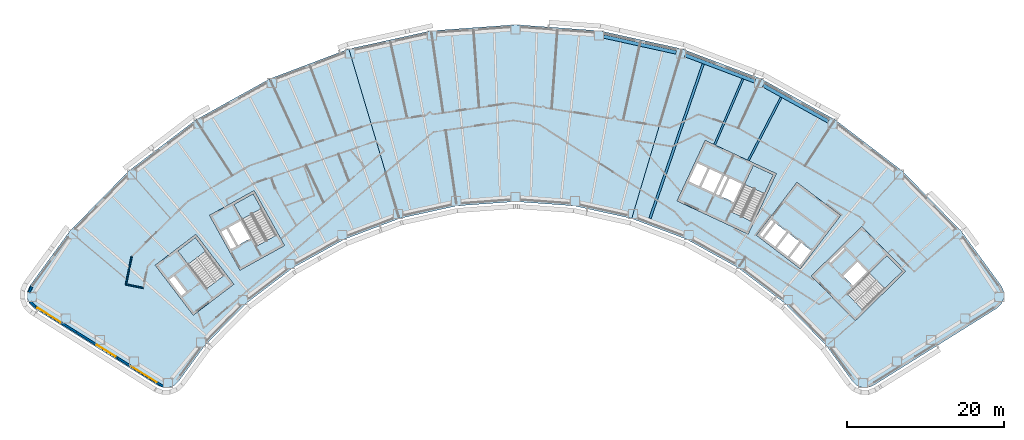
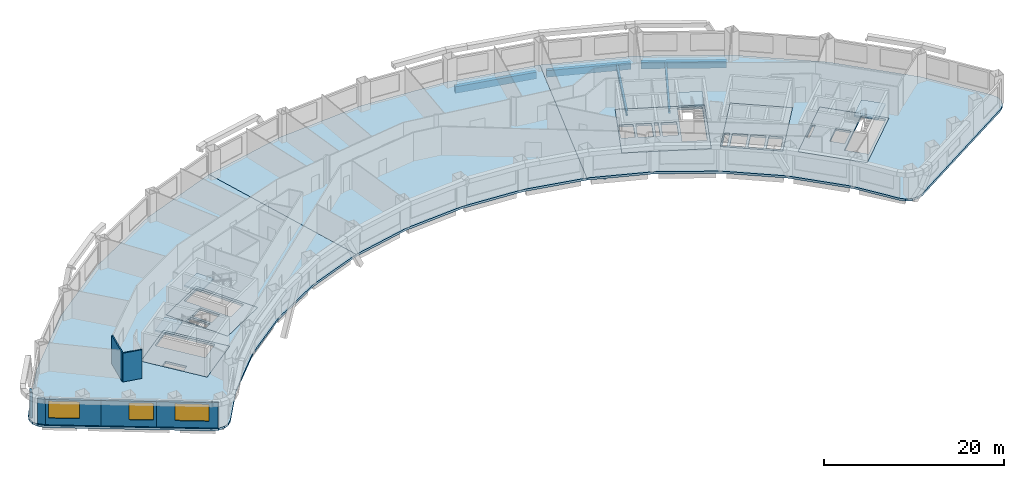
# One storey, part 2 of 15: 12 slabs, 7 walls, 6 beams, 3 windows, 3 openings, 4 elements without a shape of their own.
"""IFC4 building model written with IfcOpenShell, lengths in metres."""

from ifc_helpers import new_model, si_unit, direction, frame, frame_2d, origin, origin_2d, place, context, subcontext, project, spatial, polyline, rectangle, hollow_rectangle, i_section, outline, extrude, material, layer, layer_set, material_profile, profile_set, type_object, element, fill, aggregate, save


model = new_model("IFC4")

# Units and contexts
model_context = context("Model", 3, precision=1e-05, world=origin(), true_north=direction((0.0, 1.0)))
body_context = subcontext(model_context, "Body", "Model", "MODEL_VIEW")
ifc_project = project(units=[si_unit("LENGTHUNIT", "METRE"), si_unit("AREAUNIT", "SQUARE_METRE"), si_unit("VOLUMEUNIT", "CUBIC_METRE"), si_unit("PLANEANGLEUNIT", "RADIAN"), si_unit("MASSUNIT", "GRAM", prefix="KILO")], contexts=[model_context])

# Site, building, storey
site_placement = place(None, origin())
site = spatial("IfcSite", under=ifc_project, at=site_placement, CompositionType="ELEMENT")
building_placement = place(site_placement, origin())
building = spatial("IfcBuilding", under=site, at=building_placement, Name="Tuul Gate Civic Tower", CompositionType="ELEMENT")
storey_placement = place(building_placement, frame((0.0, 0.0, 78.0)))
storey = spatial("IfcBuildingStorey", under=building, at=storey_placement, Name="Level 17", CompositionType="ELEMENT", Elevation=78.0)

# Beams
ifc_material_1 = material(Name="Steel S355", Category="steel")
ifc_material_profile_1 = material_profile(ifc_material_1, i_section(OverallWidth=0.25, OverallDepth=0.64990234375, WebThickness=0.011962890625, FlangeThickness=0.02001953125, at=origin_2d()), Name="PG650x250x12x20")
ifc_profile_set_1 = profile_set([ifc_material_profile_1], Name="Steel S355")
beam_type_1 = type_object("IfcBeamType", Name="STR-FLOOR BEAM-PG650x250x12x20", PredefinedType="BEAM", material=ifc_profile_set_1)
beam_1_placement = place(storey_placement, frame((34.490478515625, 1.98095703125, -0.625), z_axis=(0.460790383982, 0.887508998281, 0.0), x_axis=(-0.887508998281, 0.460790383982, 0.0)))
element("IfcBeam", 1, at=beam_1_placement, inside=storey, type_object=beam_type_1, Name="Floor beam", PredefinedType="BEAM", context=body_context, shape_type="SweptSolid", body=[
    extrude(i_section(OverallWidth=0.25, OverallDepth=0.64990234375, WebThickness=0.011962890625, FlangeThickness=0.02001953125, at=origin_2d()), origin(), (0.0, 0.0, 1.0), 9.064453125),
])
beam_2_placement = place(storey_placement, frame((30.191162109375, 3.98583984375, -0.625), z_axis=(0.394199935174, 0.919024706474, 0.0), x_axis=(-0.919024706474, 0.394199935174, 0.0)))
element("IfcBeam", 2, at=beam_2_placement, inside=storey, type_object=beam_type_1, Name="Floor beam", PredefinedType="BEAM", context=body_context, shape_type="SweptSolid", body=[
    extrude(i_section(OverallWidth=0.25, OverallDepth=0.64990234375, WebThickness=0.011962890625, FlangeThickness=0.02001953125, at=origin_2d()), origin(), (0.0, 0.0, 1.0), 9.1337890625),
])
ifc_material_2 = material(Name="Steel S355", Category="steel")
ifc_material_profile_2 = material_profile(ifc_material_2, i_section(OverallWidth=0.300048828125, OverallDepth=0.800048828125, WebThickness=0.013916015625, FlangeThickness=0.02490234375, at=origin_2d()), Name="PG800x300x14x25")
ifc_profile_set_2 = profile_set([ifc_material_profile_2], Name="Steel S355")
beam_type_2 = type_object("IfcBeamType", Name="STR-FLOOR BEAM-PG800x300x14x25", PredefinedType="BEAM", material=ifc_profile_set_2)
beam_3_placement = place(storey_placement, frame((21.954345703125, -5.380859375, -0.699951171875), z_axis=(0.325483706592, 0.945547649113, 0.0), x_axis=(-0.945547649113, 0.325483706592, 0.0)))
element("IfcBeam", 3, at=beam_3_placement, inside=storey, type_object=beam_type_2, Name="Floor beam", PredefinedType="BEAM", context=body_context, shape_type="SweptSolid", body=[
    extrude(i_section(OverallWidth=0.300048828125, OverallDepth=0.800048828125, WebThickness=0.013916015625, FlangeThickness=0.02490234375, at=origin_2d()), origin(), (0.0, 0.0, 1.0), 20.808837890625),
])
ifc_material_3 = material(Name="Steel S355", Category="steel")
ifc_material_profile_3 = material_profile(ifc_material_3, hollow_rectangle(XDim=0.449951171875, YDim=0.89990234375, WallThickness=0.02490234375, at=origin_2d()), Name="BOX900x450x25")
ifc_profile_set_3 = profile_set([ifc_material_profile_3], Name="Steel S355")
beam_type_3 = type_object("IfcBeamType", Name="STR-SPANDREL BEAM-BOX900x450x25", PredefinedType="BEAM", material=ifc_profile_set_3)
beam_4_placement = place(storey_placement, frame((44.686279296875, 6.974853515625, -0.75), z_axis=(-0.874608888761, 0.484829136604, 0.0), x_axis=(-0.484829136604, -0.874608888761, 0.0)))
element("IfcBeam", 4, at=beam_4_placement, inside=storey, type_object=beam_type_3, Name="Spandrel beam", PredefinedType="BEAM", context=body_context, shape_type="SweptSolid", body=[
    extrude(hollow_rectangle(XDim=0.449951171875, YDim=0.89990234375, WallThickness=0.02490234375, at=origin_2d()), origin(), (0.0, 0.0, 1.0), 9.47802734375),
])
beam_5_placement = place(storey_placement, frame((35.310791015625, 12.0732421875, -0.75), z_axis=(-0.935376104649, 0.353654552993, 0.0), x_axis=(-0.353654552993, -0.935376104649, 0.0)))
element("IfcBeam", 5, at=beam_5_placement, inside=storey, type_object=beam_type_3, Name="Spandrel beam", PredefinedType="BEAM", context=body_context, shape_type="SweptSolid", body=[
    extrude(hollow_rectangle(XDim=0.449951171875, YDim=0.89990234375, WallThickness=0.02490234375, at=origin_2d()), origin(), (0.0, 0.0, 1.0), 9.47705078125),
])
beam_6_placement = place(storey_placement, frame((25.299072265625, 15.76611328125, -0.75), z_axis=(-0.97656320303, 0.215230830708, 0.0), x_axis=(-0.215230830708, -0.97656320303, 0.0)))
element("IfcBeam", 6, at=beam_6_placement, inside=storey, type_object=beam_type_3, Name="Spandrel beam", PredefinedType="BEAM", context=body_context, shape_type="SweptSolid", body=[
    extrude(hollow_rectangle(XDim=0.449951171875, YDim=0.89990234375, WallThickness=0.02490234375, at=origin_2d()), origin(), (0.0, 0.0, 1.0), 9.477294921875),
])

# Slabs
ifc_material_4 = material(Name="Concrete C40/50", Category="concrete")
ifc_layer_1 = layer(ifc_material_4, 0.300048828125)
ifc_layer_set_1 = layer_set([ifc_layer_1], Name="Concrete C40/50")
slab_type_1 = type_object("IfcSlabType", Name="Core floor slab 300", PredefinedType="FLOOR", material=ifc_layer_set_1)
slab_1_placement = place(storey_placement, frame((0.0, 0.0, -0.300048828125)))
element("IfcSlab", 7, at=slab_1_placement, inside=storey, type_object=slab_type_1, Name="FLOOR SLAB", PredefinedType="FLOOR", context=body_context, shape_type="SweptSolid", body=[
    extrude(outline(polyline([(-31.10009765625, -13.7890625), (-35.946044921875, -7.423828125), (-41.11767578125, -11.361572265625), (-36.271484375, -17.726806640625), (-31.10009765625, -13.7890625)]), holes=[polyline([(-37.19287109375, -14.783203125), (-38.737548828125, -12.75439453125), (-39.45361328125, -13.299560546875), (-37.908935546875, -15.328369140625), (-37.19287109375, -14.783203125)]), polyline([(-32.33935546875, -12.65771484375), (-34.56591796875, -14.352783203125), (-38.229736328125, -9.54052734375), (-36.003173828125, -7.845458984375), (-32.33935546875, -12.65771484375)])]), origin(), (0.0, 0.0, 1.0), 0.300048828125),
])
slab_2_placement = place(storey_placement, frame((0.0, 0.0, -0.300048828125)))
element("IfcSlab", 8, at=slab_2_placement, inside=storey, type_object=slab_type_1, Name="FLOOR SLAB", PredefinedType="FLOOR", context=body_context, shape_type="SweptSolid", body=[
    extrude(outline(polyline([(-24.638916015625, -8.846923828125), (-28.51708984375, -1.849853515625), (-34.2021484375, -5.0009765625), (-30.32421875, -11.998046875), (-24.638916015625, -8.846923828125)]), holes=[polyline([(-29.0185546875, -7.958740234375), (-30.254638671875, -5.728515625), (-31.785400390625, -6.576904296875), (-30.54931640625, -8.80712890625), (-29.0185546875, -7.958740234375)]), polyline([(-30.8115234375, -8.95263671875), (-32.047607421875, -6.72216796875), (-32.8349609375, -7.158447265625), (-31.5986328125, -9.388916015625), (-30.8115234375, -8.95263671875)]), polyline([(-25.702392578125, -7.548828125), (-28.14990234375, -8.905517578125), (-31.08203125, -3.615234375), (-28.63427734375, -2.2587890625), (-25.702392578125, -7.548828125)])]), origin(), (0.0, 0.0, 1.0), 0.300048828125),
])
slab_3_placement = place(storey_placement, frame((0.0, 0.0, -0.300048828125)))
element("IfcSlab", 9, at=slab_3_placement, inside=storey, type_object=slab_type_1, Name="FLOOR SLAB", PredefinedType="FLOOR", context=body_context, shape_type="SweptSolid", body=[
    extrude(outline(polyline([(48.117919921875, -18.43310546875), (54.545166015625, -12.1328125), (48.945068359375, -6.419921875), (42.517822265625, -12.719970703125), (48.117919921875, -18.43310546875)]), holes=[polyline([(47.808837890625, -13.974853515625), (49.6298828125, -12.18994140625), (48.40478515625, -10.940185546875), (46.583984375, -12.72509765625), (47.808837890625, -13.974853515625)]), polyline([(44.93896484375, -11.046875), (46.760009765625, -9.261962890625), (46.514892578125, -9.011962890625), (44.69384765625, -10.797119140625), (44.93896484375, -11.046875)]), polyline([(49.086181640625, -17.062744140625), (47.12744140625, -15.064208984375), (52.160888671875, -10.130126953125), (54.11962890625, -12.128662109375), (49.086181640625, -17.062744140625)])]), origin(), (0.0, 0.0, 1.0), 0.300048828125),
])
slab_4_placement = place(storey_placement, frame((0.0, 0.0, -0.300048828125)))
element("IfcSlab", 10, at=slab_4_placement, inside=storey, type_object=slab_type_1, Name="FLOOR SLAB", PredefinedType="FLOOR", context=body_context, shape_type="SweptSolid", body=[
    extrude(outline(polyline([(34.465087890625, -7.385986328125), (38.056884765625, 0.31787109375), (28.993896484375, 4.543701171875), (25.40185546875, -3.159912109375), (34.465087890625, -7.385986328125)]), holes=[polyline([(32.60888671875, -3.32080078125), (33.6865234375, -1.009765625), (32.1005859375, -0.27001953125), (31.02294921875, -2.581298828125), (32.60888671875, -3.32080078125)]), polyline([(30.0712890625, -2.137451171875), (31.14892578125, 0.173583984375), (29.562744140625, 0.9130859375), (28.4853515625, -1.39794921875), (30.0712890625, -2.137451171875)]), polyline([(30.751220703125, -2.454345703125), (31.82861328125, -0.143310546875), (31.4208984375, 0.046875), (30.34326171875, -2.264404296875), (30.751220703125, -2.454345703125)]), polyline([(28.21337890625, -1.27099609375), (29.291015625, 1.0400390625), (27.8408203125, 1.71630859375), (26.76318359375, -0.594970703125), (28.21337890625, -1.27099609375)]), polyline([(34.889892578125, -5.7626953125), (32.353759765625, -4.580078125), (35.120849609375, 1.354736328125), (37.6572265625, 0.17236328125), (34.889892578125, -5.7626953125)])]), origin(), (0.0, 0.0, 1.0), 0.300048828125),
])
ifc_material_5 = material(Name="Concrete C40/50", Category="concrete")
ifc_layer_2 = layer(ifc_material_5, 0.300048828125)
ifc_layer_set_2 = layer_set([ifc_layer_2], Name="Concrete C40/50")
slab_type_2 = type_object("IfcSlabType", Name="Core floor slab 300 non-bearing", PredefinedType="FLOOR", material=ifc_layer_set_2)
slab_5_placement = place(storey_placement, frame((0.0, 0.0, -0.300048828125)))
element("IfcSlab", 11, at=slab_5_placement, inside=storey, type_object=slab_type_2, Name="FLOOR SLAB", PredefinedType="FLOOR", context=body_context, shape_type="SweptSolid", body=[
    extrude(outline(polyline([(41.10107421875, -11.797119140625), (46.25, -5.033935546875), (40.680908203125, -0.79296875), (35.531982421875, -7.555908203125), (41.10107421875, -11.797119140625)]), holes=[polyline([(41.044189453125, -11.37646484375), (42.497802734375, -9.467041015625), (41.22509765625, -8.49755859375), (39.77099609375, -10.4072265625), (41.044189453125, -11.37646484375)]), polyline([(39.532470703125, -10.225341796875), (40.986328125, -8.31591796875), (39.593994140625, -7.255615234375), (38.14013671875, -9.165283203125), (39.532470703125, -10.225341796875)]), polyline([(37.901611328125, -8.9833984375), (39.35546875, -7.073974609375), (37.963134765625, -6.013671875), (36.50927734375, -7.923095703125), (37.901611328125, -8.9833984375)]), polyline([(36.1796875, -7.860595703125), (37.724609375, -5.831787109375), (37.286865234375, -5.49853515625), (35.7421875, -7.527587890625), (36.1796875, -7.860595703125)])]), origin(), (0.0, 0.0, 1.0), 0.300048828125),
])

# Stair, slab
ifc_material_6 = material(Name="Concrete C40/50", Category="concrete")
stair_type = type_object("IfcStairType", Name="Exit stair", PredefinedType="HALF_TURN_STAIR", material=ifc_material_6)
stair_1_placement = place(storey_placement, origin())
stair_1 = element("IfcStair", 12, at=stair_1_placement, inside=storey, type_object=stair_type, Name="Level 17 ST-1", PredefinedType="HALF_TURN_STAIR")
ifc_material_7 = material(Name="Concrete C40/50", Category="concrete")
ifc_layer_3 = layer(ifc_material_7, 0.199951171875)
ifc_layer_set_3 = layer_set([ifc_layer_3], Name="Concrete C40/50")
slab_type_3 = type_object("IfcSlabType", Name="Exit stair landing", PredefinedType="LANDING", material=ifc_layer_set_3)
slab_6_placement = place(storey_placement, frame((0.0, 0.0, 1.89990234375)))
slab_6 = element("IfcSlab", 13, at=slab_6_placement, type_object=slab_type_3, Name="ST-1 landing 1", PredefinedType="LANDING", context=body_context, shape_type="SweptSolid", body=[
    extrude(outline(polyline([(-34.699462890625, -9.554931640625), (-36.9287109375, -11.252197265625), (-38.23193359375, -9.540283203125), (-36.0029296875, -7.843017578125), (-34.699462890625, -9.554931640625)])), origin(), (0.0, 0.0, 1.0), 0.2001953125),
])
aggregate(stair_1, [slab_6])

stair_2_placement = place(storey_placement, origin())
stair_2 = element("IfcStair", 14, at=stair_2_placement, inside=storey, type_object=stair_type, Name="Level 17 ST-2", PredefinedType="HALF_TURN_STAIR")
slab_7_placement = place(storey_placement, frame((0.0, 0.0, 1.89990234375)))
slab_7 = element("IfcSlab", 15, at=slab_7_placement, type_object=slab_type_3, Name="ST-2 landing 1", PredefinedType="LANDING", context=body_context, shape_type="SweptSolid", body=[
    extrude(outline(polyline([(-27.5908203125, -4.138427734375), (-30.041015625, -5.49658203125), (-31.084228515625, -3.61474609375), (-28.6337890625, -2.256591796875), (-27.5908203125, -4.138427734375)])), origin(), (0.0, 0.0, 1.0), 0.2001953125),
])
aggregate(stair_2, [slab_7])

stair_3_placement = place(storey_placement, origin())
stair_3 = element("IfcStair", 16, at=stair_3_placement, inside=storey, type_object=stair_type, Name="Level 17 ST-3", PredefinedType="HALF_TURN_STAIR")
slab_8_placement = place(storey_placement, frame((0.0, 0.0, 1.89990234375)))
slab_8 = element("IfcSlab", 17, at=slab_8_placement, type_object=slab_type_3, Name="ST-3 landing 1", PredefinedType="LANDING", context=body_context, shape_type="SweptSolid", body=[
    extrude(outline(polyline([(51.871337890625, -14.3349609375), (49.91015625, -12.334228515625), (52.160888671875, -10.1279296875), (54.1220703125, -12.128662109375), (51.871337890625, -14.3349609375)])), origin(), (0.0, 0.0, 1.0), 0.2001953125),
])
aggregate(stair_3, [slab_8])

stair_4_placement = place(storey_placement, origin())
stair_4 = element("IfcStair", 18, at=stair_4_placement, inside=storey, type_object=stair_type, Name="Level 17 ST-4", PredefinedType="HALF_TURN_STAIR")
slab_9_placement = place(storey_placement, frame((0.0, 0.0, 1.89990234375)))
slab_9 = element("IfcSlab", 19, at=slab_9_placement, type_object=slab_type_3, Name="ST-4 landing 1", PredefinedType="LANDING", context=body_context, shape_type="SweptSolid", body=[
    extrude(outline(polyline([(36.538818359375, -2.230224609375), (33.999755859375, -1.046142578125), (35.1201171875, 1.35693359375), (37.659423828125, 0.173095703125), (36.538818359375, -2.230224609375)])), origin(), (0.0, 0.0, 1.0), 0.2001953125),
])
aggregate(stair_4, [slab_9])

# Slabs
ifc_material_8 = material(Name="Concrete C35/45", Category="concrete")
ifc_layer_4 = layer(ifc_material_8, 0.300048828125)
ifc_layer_set_4 = layer_set([ifc_layer_4], Name="Concrete C35/45")
slab_type_4 = type_object("IfcSlabType", Name="STR-FLOOR-SLAB-300", PredefinedType="FLOOR", material=ifc_layer_set_4)
slab_10_placement = place(storey_placement, frame((0.0, 0.0, -0.300048828125)))
element("IfcSlab", 20, at=slab_10_placement, inside=storey, type_object=slab_type_4, Name="Level 17/slab/W", PredefinedType="FLOOR", context=body_context, shape_type="SweptSolid", body=[
    extrude(outline(polyline([(-10.006103515625, -5.407958984375), (-16.43994140625, 16.214111328125), (-26.508056640625, 12.406982421875), (-35.923095703125, 7.18798828125), (-44.487060546875, 0.6669921875), (-52.02294921875, -7.02001953125), (-57.10302734375, -13.97607421875), (-57.43994140625, -14.718994140625), (-57.451904296875, -15.534912109375), (-57.136962890625, -16.2880859375), (-56.548095703125, -16.85205078125), (-40.818115234375, -26.680908203125), (-40.1240234375, -26.950927734375), (-39.37890625, -26.948974609375), (-38.68701171875, -26.674072265625), (-38.14306640625, -26.1650390625), (-34.81396484375, -21.60693359375), (-29.56005859375, -16.2470703125), (-23.589111328125, -11.700927734375), (-17.02490234375, -8.06298828125), (-10.006103515625, -5.407958984375)]), holes=[polyline([(-31.10009765625, -13.7890625), (-36.27197265625, -17.72705078125), (-41.117919921875, -11.362060546875), (-35.946044921875, -7.424072265625), (-31.10009765625, -13.7890625)]), polyline([(-24.638916015625, -8.846923828125), (-30.323974609375, -11.998046875), (-34.201904296875, -5.0009765625), (-28.51708984375, -1.85009765625), (-24.638916015625, -8.846923828125)])]), origin(), (0.0, 0.0, 1.0), 0.300048828125),
])
slab_11_placement = place(storey_placement, frame((0.0, 0.0, -0.300048828125)))
element("IfcSlab", 21, at=slab_11_placement, inside=storey, type_object=slab_type_4, Name="Level 17/slab/M", PredefinedType="FLOOR", context=body_context, shape_type="SweptSolid", body=[
    extrude(outline(polyline([(19.6220703125, -5.407958984375), (26.055908203125, 16.214111328125), (15.5439453125, 18.531005859375), (4.80810546875, 19.30810546875), (-5.927978515625, 18.531005859375), (-16.43994140625, 16.214111328125), (-10.006103515625, -5.407958984375), (-2.677001953125, -3.79296875), (4.80810546875, -3.2509765625), (12.29296875, -3.79296875), (19.6220703125, -5.407958984375)])), origin(), (0.0, 0.0, 1.0), 0.300048828125),
])
slab_12_placement = place(storey_placement, frame((0.0, 0.0, -0.300048828125)))
element("IfcSlab", 22, at=slab_12_placement, inside=storey, type_object=slab_type_4, Name="Level 17/slab/E", PredefinedType="FLOOR", context=body_context, shape_type="SweptSolid", body=[
    extrude(outline(polyline([(49.739990234375, -26.950927734375), (50.43408203125, -26.680908203125), (66.1640625, -16.85205078125), (66.75390625, -16.2880859375), (67.068115234375, -15.534912109375), (67.055908203125, -14.718994140625), (66.719970703125, -13.97607421875), (61.638916015625, -7.02001953125), (54.10400390625, 0.6669921875), (45.5400390625, 7.18798828125), (36.125, 12.406982421875), (26.055908203125, 16.214111328125), (19.6220703125, -5.407958984375), (26.64208984375, -8.06298828125), (33.2060546875, -11.700927734375), (39.177001953125, -16.2470703125), (44.429931640625, -21.60693359375), (47.760009765625, -26.1650390625), (48.302978515625, -26.674072265625), (48.9951171875, -26.948974609375), (49.739990234375, -26.950927734375)]), holes=[polyline([(48.117919921875, -18.43310546875), (42.51806640625, -12.719970703125), (48.945068359375, -6.419921875), (54.544921875, -12.133056640625), (48.117919921875, -18.43310546875)]), polyline([(35.531982421875, -7.555908203125), (40.680908203125, -0.79296875), (46.25, -5.033935546875), (41.10107421875, -11.797119140625), (35.531982421875, -7.555908203125)]), polyline([(25.402099609375, -3.159912109375), (28.993896484375, 4.5439453125), (38.056884765625, 0.318115234375), (34.465087890625, -7.385986328125), (25.402099609375, -3.159912109375)])]), origin(), (0.0, 0.0, 1.0), 0.300048828125),
])

# Walls
ifc_material_9 = material(Name="Gypsum board partition")
ifc_layer_5 = layer(ifc_material_9, 0.14990234375)
ifc_layer_set_5 = layer_set([ifc_layer_5], Name="Gypsum board partition")
wall_type_1 = type_object("IfcWallType", Name="Corridor wall P150", PredefinedType="PARTITIONING", material=ifc_layer_set_5)
wall_1_placement = place(storey_placement, frame((-44.85205078125, -13.807861328125, 0.0), z_axis=(0.0, 0.0, 1.0), x_axis=(0.199641508505, 0.979869005573, 0.0)))
element("IfcWall", 23, at=wall_1_placement, inside=storey, type_object=wall_type_1, Name="p043", PredefinedType="PARTITIONING", context=body_context, shape_type="SweptSolid", body=[
    extrude(rectangle(XDim=3.634521484375, YDim=0.14990234375, at=frame_2d((1.8173828125, 0.0))), origin(), (0.0, 0.0, 1.0), 3.89990234375),
])
wall_2_placement = place(storey_placement, frame((-44.85205078125, -13.807861328125, 0.0), z_axis=(0.0, 0.0, 1.0), x_axis=(0.979869081236, -0.199641137136, 0.0)))
element("IfcWall", 24, at=wall_2_placement, inside=storey, type_object=wall_type_1, Name="p054", PredefinedType="PARTITIONING", context=body_context, shape_type="SweptSolid", body=[
    extrude(rectangle(XDim=2.250244140625, YDim=0.14990234375, at=frame_2d((1.125, 0.0))), origin(), (0.0, 0.0, 1.0), 3.89990234375),
])
ifc_material_10 = material(Name="Precast concrete C40/50", Category="concrete")
ifc_layer_6 = layer(ifc_material_10, 0.25)
ifc_layer_set_6 = layer_set([ifc_layer_6], Name="Precast concrete C40/50")
wall_type_2 = type_object("IfcWallType", Name="External wall", PredefinedType="STANDARD", material=ifc_layer_set_6)
wall_3_placement = place(storey_placement, frame((-56.8681640625, -14.116455078125, 0.0), z_axis=(0.0, 0.0, 1.0), x_axis=(-0.412280175097, -0.911057109748, 0.0)))
element("IfcWall", 25, at=wall_3_placement, inside=storey, type_object=wall_type_2, Name="External wall", PredefinedType="STANDARD", context=body_context, shape_type="SweptSolid", body=[
    extrude(rectangle(XDim=0.7734375, YDim=0.25, at=frame_2d((0.38671875, 0.0))), origin(), (0.0, 0.0, 1.0), 3.449951171875),
])
wall_4_placement = place(storey_placement, frame((-57.022216796875, -16.02099609375, 0.0), z_axis=(0.0, 0.0, 1.0), x_axis=(0.722079843393, -0.691809728007, 0.0)))
element("IfcWall", 26, at=wall_4_placement, inside=storey, type_object=wall_type_2, Name="External wall", PredefinedType="STANDARD", context=body_context, shape_type="SweptSolid", body=[
    extrude(rectangle(XDim=0.88720703125, YDim=0.25, at=frame_2d((0.443603515625, 0.0))), origin(), (0.0, 0.0, 1.0), 3.449951171875),
])

# Wall, opening, window
wall_5_placement = place(storey_placement, frame((-56.40185546875, -16.618896484375, 0.0), z_axis=(0.0, 0.0, 1.0), x_axis=(0.848053758074, -0.529910203164, 0.0)))
wall_5 = element("IfcWall", 27, at=wall_5_placement, inside=storey, type_object=wall_type_2, Name="External wall", PredefinedType="STANDARD", context=body_context, shape_type="SweptSolid", body=[
    extrude(rectangle(XDim=6.182861328125, YDim=0.25, at=frame_2d((3.09130859375, 0.0))), origin(), (0.0, 0.0, 1.0), 3.449951171875),
])
opening_1_placement = place(wall_5_placement, frame((0.319091796875, 0.0, 0.89990234375)))
opening_1 = element("IfcOpeningElement", 28, at=opening_1_placement, cuts=wall_5, Name="Opening W74", PredefinedType="OPENING", context=body_context, shape_type="SweptSolid", body=[
    extrude(rectangle(XDim=3.5, YDim=2.300048828125, at=frame_2d((1.75, 1.14990234375))), frame((0.0, 0.135009765625, 0.0), z_axis=(0.0, -1.0, 0.0), x_axis=(1.0, 0.0, 0.0)), (0.0, 0.0, 1.0), 0.27001953125),
])
ifc_material_11 = material(Name="Glass", Category="glass")
window_type_1 = type_object("IfcWindowType", Name="Window 3500 x 2300", PartitioningType="SINGLE_PANEL", PredefinedType="WINDOW", material=ifc_material_11)
window_1_placement = place(opening_1_placement, origin())
window_1 = element("IfcWindow", 29, at=window_1_placement, inside=storey, type_object=window_type_1, Name="Window", OverallHeight=2.300048828125, OverallWidth=3.5, PartitioningType="SINGLE_PANEL", PredefinedType="WINDOW", context=body_context, shape_type="SweptSolid", body=[
    extrude(rectangle(XDim=3.5, YDim=2.300048828125, at=frame_2d((1.75, 1.14990234375))), frame((0.0, 0.030029296875, 0.0), z_axis=(0.0, -1.0, 0.0), x_axis=(1.0, 0.0, 0.0)), (0.0, 0.0, 1.0), 0.06005859375),
])
fill(opening_1, window_1)

wall_6_placement = place(storey_placement, frame((-51.158447265625, -19.895263671875, 0.0), z_axis=(0.0, 0.0, 1.0), x_axis=(0.848053758074, -0.529910203164, 0.0)))
wall_6 = element("IfcWall", 30, at=wall_6_placement, inside=storey, type_object=wall_type_2, Name="External wall", PredefinedType="STANDARD", context=body_context, shape_type="SweptSolid", body=[
    extrude(rectangle(XDim=6.182861328125, YDim=0.25, at=frame_2d((3.09130859375, 0.0))), origin(), (0.0, 0.0, 1.0), 3.449951171875),
])
opening_2_placement = place(wall_6_placement, frame((3.10302734375, 0.0, 0.89990234375)))
opening_2 = element("IfcOpeningElement", 31, at=opening_2_placement, cuts=wall_6, Name="Opening W30", PredefinedType="OPENING", context=body_context, shape_type="SweptSolid", body=[
    extrude(rectangle(XDim=2.75, YDim=2.300048828125, at=frame_2d((1.375, 1.14990234375))), frame((0.0, 0.135009765625, 0.0), z_axis=(0.0, -1.0, 0.0), x_axis=(1.0, 0.0, 0.0)), (0.0, 0.0, 1.0), 0.27001953125),
])
ifc_material_12 = material(Name="Glass", Category="glass")
window_type_2 = type_object("IfcWindowType", Name="Window 2750 x 2300", PartitioningType="SINGLE_PANEL", PredefinedType="WINDOW", material=ifc_material_12)
window_2_placement = place(opening_2_placement, origin())
window_2 = element("IfcWindow", 32, at=window_2_placement, inside=storey, type_object=window_type_2, Name="Window", OverallHeight=2.300048828125, OverallWidth=2.75, PartitioningType="SINGLE_PANEL", PredefinedType="WINDOW", context=body_context, shape_type="SweptSolid", body=[
    extrude(rectangle(XDim=2.75, YDim=2.300048828125, at=frame_2d((1.375, 1.14990234375))), frame((0.0, 0.030029296875, 0.0), z_axis=(0.0, -1.0, 0.0), x_axis=(1.0, 0.0, 0.0)), (0.0, 0.0, 1.0), 0.06005859375),
])
fill(opening_2, window_2)

wall_7_placement = place(storey_placement, frame((-45.9150390625, -23.171630859375, 0.0), z_axis=(0.0, 0.0, 1.0), x_axis=(0.848052242305, -0.529912628951, 0.0)))
wall_7 = element("IfcWall", 33, at=wall_7_placement, inside=storey, type_object=wall_type_2, Name="External wall", PredefinedType="STANDARD", context=body_context, shape_type="SweptSolid", body=[
    extrude(rectangle(XDim=6.865234375, YDim=0.25, at=frame_2d((3.4326171875, 0.0))), origin(), (0.0, 0.0, 1.0), 3.449951171875),
])
opening_3_placement = place(wall_7_placement, frame((2.06591796875, 0.0, 0.89990234375)))
opening_3 = element("IfcOpeningElement", 34, at=opening_3_placement, cuts=wall_7, Name="Opening W100", PredefinedType="OPENING", context=body_context, shape_type="SweptSolid", body=[
    extrude(rectangle(XDim=3.800048828125, YDim=2.300048828125, at=frame_2d((1.89990234375, 1.14990234375))), frame((0.0, 0.135009765625, 0.0), z_axis=(0.0, -1.0, 0.0), x_axis=(1.0, 0.0, 0.0)), (0.0, 0.0, 1.0), 0.27001953125),
])
ifc_material_13 = material(Name="Glass", Category="glass")
window_type_3 = type_object("IfcWindowType", Name="Window W100 3800 x 2300", PartitioningType="SINGLE_PANEL", PredefinedType="WINDOW", material=ifc_material_13)
window_3_placement = place(opening_3_placement, origin())
window_3 = element("IfcWindow", 35, at=window_3_placement, inside=storey, type_object=window_type_3, Name="Window", OverallHeight=2.300048828125, OverallWidth=3.800048828125, PartitioningType="SINGLE_PANEL", PredefinedType="WINDOW", context=body_context, shape_type="SweptSolid", body=[
    extrude(rectangle(XDim=3.800048828125, YDim=2.300048828125, at=frame_2d((1.89990234375, 1.14990234375))), frame((0.0, 0.030029296875, 0.0), z_axis=(0.0, -1.0, 0.0), x_axis=(1.0, 0.0, 0.0)), (0.0, 0.0, 1.0), 0.06005859375),
])
fill(opening_3, window_3)

save(model, "model.ifc")
